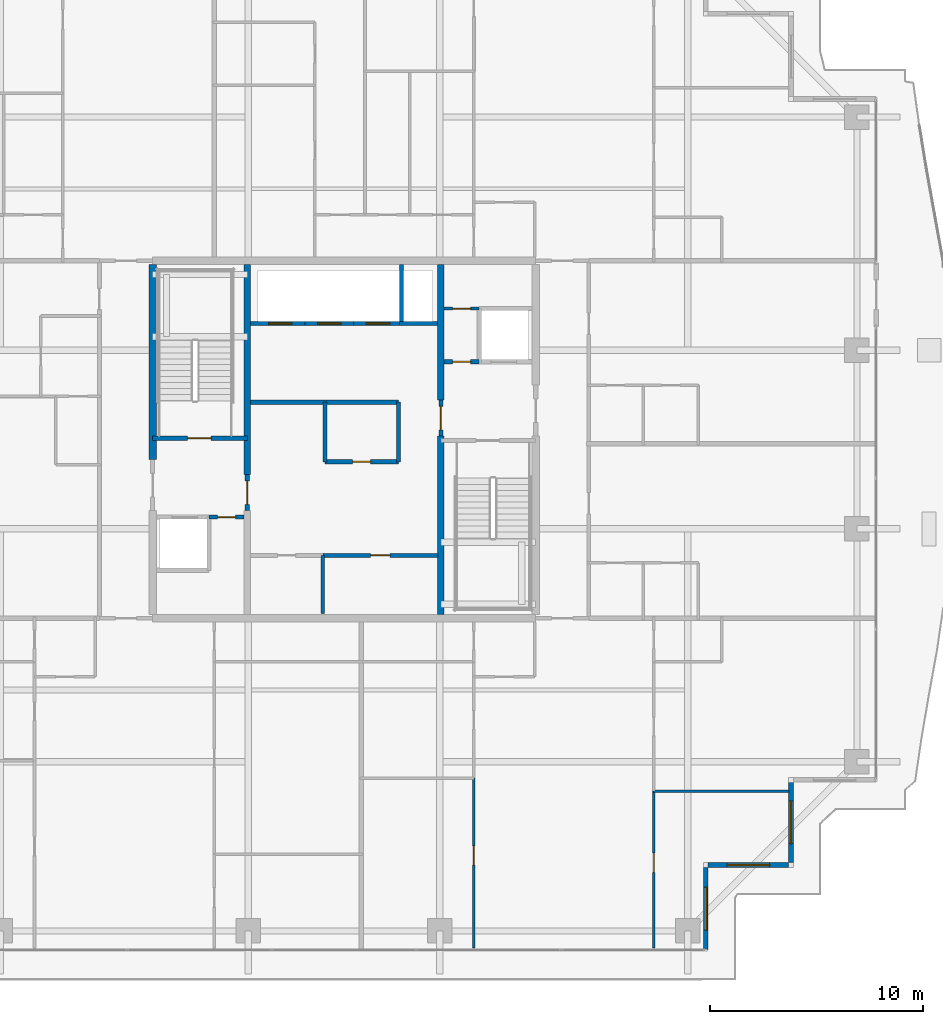
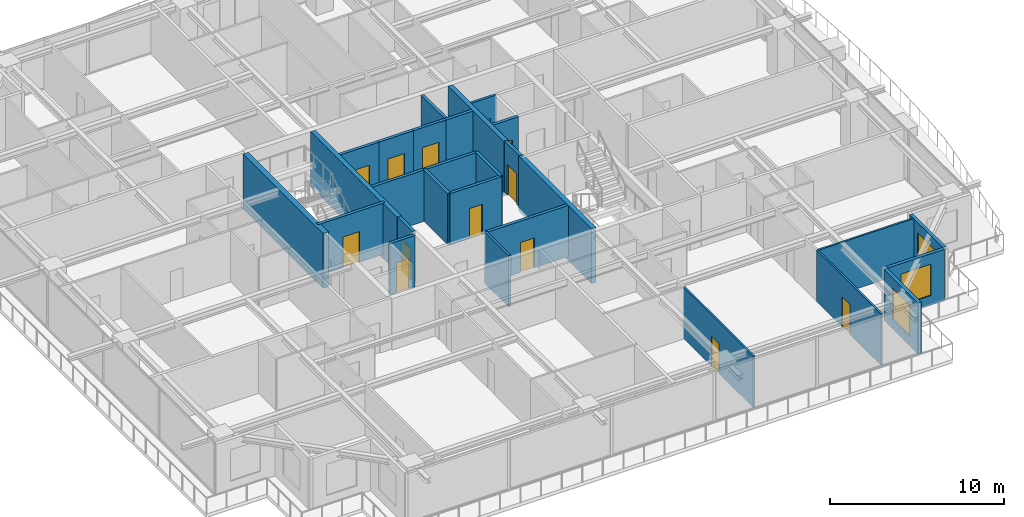
# One storey, part 27 of 37: 27 walls, 13 doors, 3 windows, 16 openings.
"""IFC4 building model written with IfcOpenShell, lengths in metres."""

from ifc_helpers import new_model, si_unit, direction, frame, frame_2d, origin, place, context, subcontext, project, spatial, rectangle, extrude, source, transform, mapped, material, layer, layer_set, type_object, element, fill, save


model = new_model("IFC4")

# Units and contexts
model_context = context("Model", 3, precision=1e-05, world=origin(), true_north=direction((0.0, 1.0)))
body_context = subcontext(model_context, "Body", "Model", "MODEL_VIEW")
ifc_project = project(units=[si_unit("LENGTHUNIT", "METRE"), si_unit("AREAUNIT", "SQUARE_METRE"), si_unit("VOLUMEUNIT", "CUBIC_METRE"), si_unit("PLANEANGLEUNIT", "RADIAN"), si_unit("MASSUNIT", "GRAM", prefix="KILO")], contexts=[model_context])

# Site, building, storey
site_placement = place(None, origin())
site = spatial("IfcSite", under=ifc_project, at=site_placement, CompositionType="ELEMENT")
building_placement = place(site_placement, origin())
building = spatial("IfcBuilding", under=site, at=building_placement, Name="Serunith Strait Residences", CompositionType="ELEMENT")
storey_placement = place(building_placement, frame((0.0, 0.0, 279.75)))
storey = spatial("IfcBuildingStorey", under=building, at=storey_placement, Name="L70", CompositionType="ELEMENT", Elevation=279.75)

# Wall, opening, window
ifc_material_1 = material(Name="Pale-Champagne Aluminium Insulated Panel", Category="aluminium")
ifc_layer_1 = layer(ifc_material_1, 0.219970703125, Name="Pale-Champagne Aluminium Insulated Panel")
ifc_layer_set_1 = layer_set([ifc_layer_1], Name="Pale-Champagne Aluminium Insulated Panel")
wall_type_1 = type_object("IfcWallType", Name="EW-ALUM-220", PredefinedType="ELEMENTEDWALL", material=ifc_layer_set_1)
wall_1_placement = place(storey_placement, frame((49.39990234375, 1.199951171875, 0.0), z_axis=(0.0, 0.0, 1.0), x_axis=(0.0, 1.0, 0.0)))
wall_1 = element("IfcWall", 1, at=wall_1_placement, inside=storey, type_object=wall_type_1, Name="L70 Girih Serrated Corner Wall 02", PredefinedType="ELEMENTEDWALL", context=body_context, shape_type="SweptSolid", body=[
    extrude(rectangle(XDim=3.89013671875, YDim=0.219970703125, at=frame_2d((1.945068359375, 0.0))), origin(), (0.0, 0.0, 1.0), 3.574951171875),
])
opening_1_placement = place(wall_1_placement, frame((0.945068359375, 0.0, 0.64990234375)))
opening_1 = element("IfcOpeningElement", 2, at=opening_1_placement, cuts=wall_1, Name="Opening W-04", PredefinedType="OPENING", context=body_context, shape_type="SweptSolid", body=[
    extrude(rectangle(XDim=2.0, YDim=2.199951171875, at=frame_2d((1.0, 1.10009765625))), frame((0.0, 0.1201171875, 0.0), z_axis=(0.0, -1.0, 0.0), x_axis=(1.0, 0.0, 0.0)), (0.0, 0.0, 1.0), 0.239990234375),
])
ifc_material_2 = material(Name="Ceramic-Fritted Operable Aluminium Window Glass", Category="aluminium")
window_type = type_object("IfcWindowType", Name="WIN-C4", PartitioningType="TRIPLE_PANEL_VERTICAL", PredefinedType="WINDOW", material=ifc_material_2)
shared_shape_1 = source(origin(), body_context, "Body", "SweptSolid", [
    extrude(rectangle(XDim=2.0, YDim=2.199951171875, at=frame_2d((1.0, 1.10009765625))), frame((0.0, 0.030029296875, 0.0), z_axis=(0.0, -1.0, 0.0), x_axis=(1.0, 0.0, 0.0)), (0.0, 0.0, 1.0), 0.06005859375),
])
window_1_placement = place(opening_1_placement, origin())
window_1 = element("IfcWindow", 3, at=window_1_placement, inside=storey, type_object=window_type, Name="L70 Corner Operable Fritted Window 02", OverallHeight=2.199951171875, OverallWidth=2.0, PartitioningType="SINGLE_PANEL", PredefinedType="WINDOW", context=body_context, shape_type="MappedRepresentation", body=[
    mapped(shared_shape_1, transform((0.0, 0.0, 0.0), scale=1.0)),
])
fill(opening_1, window_1)

wall_2_placement = place(storey_placement, frame((49.510009765625, 5.199951171875, 0.0), z_axis=(0.0, 0.0, 1.0), x_axis=(1.0, 0.0, 0.0)))
wall_2 = element("IfcWall", 4, at=wall_2_placement, inside=storey, type_object=wall_type_1, Name="L70 Girih Serrated Corner Wall 03", PredefinedType="ELEMENTEDWALL", context=body_context, shape_type="SweptSolid", body=[
    extrude(rectangle(XDim=3.780029296875, YDim=0.219970703125, at=frame_2d((1.89013671875, 0.0))), origin(), (0.0, 0.0, 1.0), 3.574951171875),
])
opening_2_placement = place(wall_2_placement, frame((0.889892578125, 0.0, 0.64990234375)))
opening_2 = element("IfcOpeningElement", 5, at=opening_2_placement, cuts=wall_2, Name="Opening W-04", PredefinedType="OPENING", context=body_context, shape_type="SweptSolid", body=[
    extrude(rectangle(XDim=2.0, YDim=2.199951171875, at=frame_2d((1.0, 1.10009765625))), frame((0.0, 0.1201171875, 0.0), z_axis=(0.0, -1.0, 0.0), x_axis=(1.0, 0.0, 0.0)), (0.0, 0.0, 1.0), 0.239990234375),
])
window_2_placement = place(opening_2_placement, origin())
window_2 = element("IfcWindow", 6, at=window_2_placement, inside=storey, type_object=window_type, Name="L70 Corner Operable Fritted Window 03", OverallHeight=2.199951171875, OverallWidth=2.0, PartitioningType="SINGLE_PANEL", PredefinedType="WINDOW", context=body_context, shape_type="MappedRepresentation", body=[
    mapped(shared_shape_1, transform((0.0, 0.0, 0.0), scale=1.0)),
])
fill(opening_2, window_2)

wall_3_placement = place(storey_placement, frame((53.39990234375, 5.31005859375, 0.0), z_axis=(0.0, 0.0, 1.0), x_axis=(0.0, 1.0, 0.0)))
wall_3 = element("IfcWall", 7, at=wall_3_placement, inside=storey, type_object=wall_type_1, Name="L70 Girih Serrated Corner Wall 04", PredefinedType="ELEMENTEDWALL", context=body_context, shape_type="SweptSolid", body=[
    extrude(rectangle(XDim=3.780029296875, YDim=0.219970703125, at=frame_2d((1.89013671875, 0.0))), origin(), (0.0, 0.0, 1.0), 3.574951171875),
])
opening_3_placement = place(wall_3_placement, frame((0.889892578125, 0.0, 0.64990234375)))
opening_3 = element("IfcOpeningElement", 8, at=opening_3_placement, cuts=wall_3, Name="Opening W-04", PredefinedType="OPENING", context=body_context, shape_type="SweptSolid", body=[
    extrude(rectangle(XDim=2.0, YDim=2.199951171875, at=frame_2d((1.0, 1.10009765625))), frame((0.0, 0.1201171875, 0.0), z_axis=(0.0, -1.0, 0.0), x_axis=(1.0, 0.0, 0.0)), (0.0, 0.0, 1.0), 0.239990234375),
])
window_3_placement = place(opening_3_placement, origin())
window_3 = element("IfcWindow", 9, at=window_3_placement, inside=storey, type_object=window_type, Name="L70 Corner Operable Fritted Window 04", OverallHeight=2.199951171875, OverallWidth=2.0, PartitioningType="SINGLE_PANEL", PredefinedType="WINDOW", context=body_context, shape_type="MappedRepresentation", body=[
    mapped(shared_shape_1, transform((0.0, 0.0, 0.0), scale=1.0)),
])
fill(opening_3, window_3)

# Wall, opening, door
ifc_material_3 = material(Name="Fire-rated masonry service closet wall", Category="masonry")
ifc_layer_2 = layer(ifc_material_3, 0.14990234375, Name="Fire-rated masonry service closet wall")
ifc_layer_set_2 = layer_set([ifc_layer_2], Name="Fire-rated masonry service closet wall")
wall_type_2 = type_object("IfcWallType", Name="IW-BOH-150", PredefinedType="PARTITIONING", material=ifc_layer_set_2)
wall_4_placement = place(storey_placement, frame((37.10009765625, 31.35009765625, 0.0), z_axis=(0.0, 0.0, 1.0), x_axis=(1.0, 0.0, 0.0)))
wall_4 = element("IfcWall", 10, at=wall_4_placement, inside=storey, type_object=wall_type_2, Name="L70 Partition Wall 011", PredefinedType="PARTITIONING", context=body_context, shape_type="SweptSolid", body=[
    extrude(rectangle(XDim=1.64794921875, YDim=0.14990234375, at=frame_2d((0.823974609375, 0.0))), origin(), (0.0, 0.0, 1.0), 3.590087890625),
])
opening_4_placement = place(wall_4_placement, frame((0.39892578125, 0.0, 0.0)))
opening_4 = element("IfcOpeningElement", 11, at=opening_4_placement, cuts=wall_4, Name="Opening FD-850", PredefinedType="OPENING", context=body_context, shape_type="SweptSolid", body=[
    extrude(rectangle(XDim=0.85009765625, YDim=2.10009765625, at=frame_2d((0.425048828125, 1.050048828125))), frame((0.0, 0.0849609375, 0.0), z_axis=(0.0, -1.0, 0.0), x_axis=(1.0, 0.0, 0.0)), (0.0, 0.0, 1.0), 0.169921875),
])
ifc_material_4 = material(Name="Powder-coated steel service closet door", Category="steel")
door_type_1 = type_object("IfcDoorType", Name="FD-BOH-850", OperationType="NOTDEFINED", PredefinedType="DOOR", material=ifc_material_4)
shared_shape_2 = source(origin(), body_context, "Body", "SweptSolid", [
    extrude(rectangle(XDim=0.85009765625, YDim=2.10009765625, at=frame_2d((0.425048828125, 1.050048828125))), frame((0.0, 0.02490234375, 0.0), z_axis=(0.0, -1.0, 0.0), x_axis=(1.0, 0.0, 0.0)), (0.0, 0.0, 1.0), 0.050048828125),
])
door_1_placement = place(opening_4_placement, origin())
door_1 = element("IfcDoor", 12, at=door_1_placement, inside=storey, type_object=door_type_1, Name="L70 Spare Parts Store Door", OperationType="SINGLE_SWING_RIGHT", OverallHeight=2.10009765625, OverallWidth=0.85009765625, PredefinedType="DOOR", context=body_context, shape_type="MappedRepresentation", body=[
    mapped(shared_shape_2, transform((0.0, 0.0, 0.0), scale=1.0)),
])
fill(opening_4, door_1)

# Wall
wall_5_placement = place(storey_placement, frame((31.39990234375, 17.02001953125, 0.0), z_axis=(0.0, 0.0, 1.0), x_axis=(0.0, 1.0, 0.0)))
element("IfcWall", 13, at=wall_5_placement, inside=storey, type_object=wall_type_2, Name="L70 Partition Wall 014", PredefinedType="PARTITIONING", context=body_context, shape_type="SweptSolid", body=[
    extrude(rectangle(XDim=2.72998046875, YDim=0.14990234375, at=frame_2d((1.364990234375, 0.0))), origin(), (0.0, 0.0, 1.0), 3.590087890625),
])

# Wall, opening, door
ifc_material_5 = material(Name="Lightweight steel-stud gypsum partition", Category="steel")
ifc_layer_3 = layer(ifc_material_5, 0.1201171875, Name="Lightweight steel-stud gypsum partition")
ifc_layer_set_3 = layer_set([ifc_layer_3], Name="Lightweight steel-stud gypsum partition")
wall_type_3 = type_object("IfcWallType", Name="IW-PART-120", PredefinedType="PARTITIONING", material=ifc_layer_set_3)
wall_6_placement = place(storey_placement, frame((38.5, 1.294921875, 0.0), z_axis=(0.0, 0.0, 1.0), x_axis=(0.0, 1.0, 0.0)))
wall_6 = element("IfcWall", 14, at=wall_6_placement, inside=storey, type_object=wall_type_3, Name="L70 Partition Wall 047", PredefinedType="PARTITIONING", context=body_context, shape_type="SweptSolid", body=[
    extrude(rectangle(XDim=7.990966796875, YDim=0.1201171875, at=frame_2d((3.99560546875, 0.0))), origin(), (0.0, 0.0, 1.0), 3.590087890625),
])
opening_5_placement = place(wall_6_placement, frame((3.89990234375, 0.0, 0.0)))
opening_5 = element("IfcOpeningElement", 15, at=opening_5_placement, cuts=wall_6, Name="Opening D-RM900", PredefinedType="OPENING", context=body_context, shape_type="SweptSolid", body=[
    extrude(rectangle(XDim=0.89990234375, YDim=2.10009765625, at=frame_2d((0.449951171875, 1.050048828125))), frame((0.0, 0.070068359375, 0.0), z_axis=(0.0, -1.0, 0.0), x_axis=(1.0, 0.0, 0.0)), (0.0, 0.0, 1.0), 0.14013671875),
])
ifc_material_6 = material(Name="Engineered timber flush bedroom door", Category="wood")
door_type_2 = type_object("IfcDoorType", Name="ID-ROOM-900", OperationType="NOTDEFINED", PredefinedType="DOOR", material=ifc_material_6)
shared_shape_3 = source(origin(), body_context, "Body", "SweptSolid", [
    extrude(rectangle(XDim=0.89990234375, YDim=2.10009765625, at=frame_2d((0.449951171875, 1.050048828125))), frame((0.0, 0.02490234375, 0.0), z_axis=(0.0, -1.0, 0.0), x_axis=(1.0, 0.0, 0.0)), (0.0, 0.0, 1.0), 0.050048828125),
])
door_2_placement = place(opening_5_placement, origin())
door_2 = element("IfcDoor", 16, at=door_2_placement, inside=storey, type_object=door_type_2, Name="L70 Master Bedroom 1 7002 Door", OperationType="SINGLE_SWING_LEFT", OverallHeight=2.10009765625, OverallWidth=0.89990234375, PredefinedType="DOOR", context=body_context, shape_type="MappedRepresentation", body=[
    mapped(shared_shape_3, transform((0.0, 0.0, 0.0), scale=1.0)),
])
fill(opening_5, door_2)

wall_7_placement = place(storey_placement, frame((46.949951171875, 1.294921875, 0.0), z_axis=(0.0, 0.0, 1.0), x_axis=(0.0, 1.0, 0.0)))
wall_7 = element("IfcWall", 17, at=wall_7_placement, inside=storey, type_object=wall_type_3, Name="L70 Partition Wall 052", PredefinedType="PARTITIONING", context=body_context, shape_type="SweptSolid", body=[
    extrude(rectangle(XDim=7.373046875, YDim=0.1201171875, at=frame_2d((3.6865234375, 0.0))), origin(), (0.0, 0.0, 1.0), 3.590087890625),
])
opening_6_placement = place(wall_7_placement, frame((3.56005859375, 0.0, 0.0)))
opening_6 = element("IfcOpeningElement", 18, at=opening_6_placement, cuts=wall_7, Name="Opening D-RM900", PredefinedType="OPENING", context=body_context, shape_type="SweptSolid", body=[
    extrude(rectangle(XDim=0.89990234375, YDim=2.10009765625, at=frame_2d((0.449951171875, 1.050048828125))), frame((0.0, 0.070068359375, 0.0), z_axis=(0.0, -1.0, 0.0), x_axis=(1.0, 0.0, 0.0)), (0.0, 0.0, 1.0), 0.14013671875),
])
door_3_placement = place(opening_6_placement, origin())
door_3 = element("IfcDoor", 19, at=door_3_placement, inside=storey, type_object=door_type_2, Name="L70 Bedroom 2 7002 Door", OperationType="SINGLE_SWING_RIGHT", OverallHeight=2.10009765625, OverallWidth=0.89990234375, PredefinedType="DOOR", context=body_context, shape_type="MappedRepresentation", body=[
    mapped(shared_shape_3, transform((0.0, 0.0, 0.0), scale=1.0)),
])
fill(opening_6, door_3)

# Wall
wall_8_placement = place(storey_placement, frame((46.949951171875, 8.66796875, 0.0), z_axis=(0.0, 0.0, 1.0), x_axis=(1.0, 0.0, 0.0)))
element("IfcWall", 20, at=wall_8_placement, inside=storey, type_object=wall_type_3, Name="L70 Partition Wall 053", PredefinedType="PARTITIONING", context=body_context, shape_type="SweptSolid", body=[
    extrude(rectangle(XDim=6.35498046875, YDim=0.1201171875, at=frame_2d((3.177490234375, 0.0))), origin(), (0.0, 0.0, 1.0), 3.590087890625),
])

# Wall, opening, door
ifc_material_7 = material(Name="Autoclaved aerated concrete blockwork", Category="masonry")
ifc_layer_4 = layer(ifc_material_7, 0.199951171875, Name="Autoclaved aerated concrete blockwork")
ifc_layer_set_4 = layer_set([ifc_layer_4], Name="Autoclaved aerated concrete blockwork")
wall_type_4 = type_object("IfcWallType", Name="IW-SHAFT-200", PredefinedType="STANDARD", material=ifc_layer_set_4)
wall_9_placement = place(storey_placement, frame((23.39990234375, 25.25, 0.0), z_axis=(0.0, 0.0, 1.0), x_axis=(1.0, 0.0, 0.0)))
wall_9 = element("IfcWall", 21, at=wall_9_placement, inside=storey, type_object=wall_type_4, Name="L70 ST-1 South Shaft Wall", PredefinedType="STANDARD", context=body_context, shape_type="SweptSolid", body=[
    extrude(rectangle(XDim=4.4501953125, YDim=0.199951171875, at=frame_2d((2.22509765625, 0.0))), origin(), (0.0, 0.0, 1.0), 3.590087890625),
])
opening_7_placement = place(wall_9_placement, frame((1.64990234375, 0.0, 0.0)))
opening_7 = element("IfcOpeningElement", 22, at=opening_7_placement, cuts=wall_9, Name="Opening FD-1100", PredefinedType="OPENING", context=body_context, shape_type="SweptSolid", body=[
    extrude(rectangle(XDim=1.10009765625, YDim=2.14990234375, at=frame_2d((0.550048828125, 1.074951171875))), frame((0.0, 0.10986328125, 0.0), z_axis=(0.0, -1.0, 0.0), x_axis=(1.0, 0.0, 0.0)), (0.0, 0.0, 1.0), 0.219970703125),
])
ifc_material_8 = material(Name="Galvanised steel fire door leaf", Category="steel")
door_type_3 = type_object("IfcDoorType", Name="FD-STAIR-1100", OperationType="NOTDEFINED", PredefinedType="DOOR", material=ifc_material_8)
shared_shape_4 = source(origin(), body_context, "Body", "SweptSolid", [
    extrude(rectangle(XDim=1.10009765625, YDim=2.14990234375, at=frame_2d((0.550048828125, 1.074951171875))), frame((0.0, 0.02490234375, 0.0), z_axis=(0.0, -1.0, 0.0), x_axis=(1.0, 0.0, 0.0)), (0.0, 0.0, 1.0), 0.050048828125),
])
door_4_placement = place(opening_7_placement, origin())
door_4 = element("IfcDoor", 23, at=door_4_placement, inside=storey, type_object=door_type_3, Name="L70 ST-1 Escape Stair Door", OperationType="SINGLE_SWING_RIGHT", OverallHeight=2.14990234375, OverallWidth=1.10009765625, PredefinedType="DOOR", context=body_context, shape_type="MappedRepresentation", body=[
    mapped(shared_shape_4, transform((0.0, 0.0, 0.0), scale=1.0)),
])
fill(opening_7, door_4)

wall_10_placement = place(storey_placement, frame((28.0, 30.64990234375, 0.0), z_axis=(0.0, 0.0, 1.0), x_axis=(1.0, 0.0, 0.0)))
wall_10 = element("IfcWall", 24, at=wall_10_placement, inside=storey, type_object=wall_type_4, Name="L70 PL-7 South Shaft Wall", PredefinedType="STANDARD", context=body_context, shape_type="SweptSolid", body=[
    extrude(rectangle(XDim=2.550048828125, YDim=0.199951171875, at=frame_2d((1.27490234375, 0.0))), origin(), (0.0, 0.0, 1.0), 3.590087890625),
])
opening_8_placement = place(wall_10_placement, frame((0.85009765625, 0.0, 0.0)))
opening_8 = element("IfcOpeningElement", 25, at=opening_8_placement, cuts=wall_10, Name="Opening LD-1100", PredefinedType="OPENING", context=body_context, shape_type="SweptSolid", body=[
    extrude(rectangle(XDim=1.10009765625, YDim=2.199951171875, at=frame_2d((0.550048828125, 1.10009765625))), frame((0.0, 0.10986328125, 0.0), z_axis=(0.0, -1.0, 0.0), x_axis=(1.0, 0.0, 0.0)), (0.0, 0.0, 1.0), 0.219970703125),
])
ifc_material_9 = material(Name="Pale-champagne stainless landing door")
door_type_4 = type_object("IfcDoorType", Name="LD-LIFT-1100", OperationType="DOUBLE_DOOR_SLIDING", PredefinedType="DOOR", material=ifc_material_9)
shared_shape_5 = source(origin(), body_context, "Body", "SweptSolid", [
    extrude(rectangle(XDim=1.10009765625, YDim=2.199951171875, at=frame_2d((0.550048828125, 1.10009765625))), frame((0.0, 0.02490234375, 0.0), z_axis=(0.0, -1.0, 0.0), x_axis=(1.0, 0.0, 0.0)), (0.0, 0.0, 1.0), 0.050048828125),
])
door_5_placement = place(opening_8_placement, origin())
door_5 = element("IfcDoor", 26, at=door_5_placement, inside=storey, type_object=door_type_4, Name="L70 PL-7 Landing Door", OperationType="DOUBLE_DOOR_SLIDING", OverallHeight=2.199951171875, OverallWidth=1.10009765625, PredefinedType="DOOR", context=body_context, shape_type="MappedRepresentation", body=[
    mapped(shared_shape_5, transform((0.0, 0.0, 0.0), scale=1.0)),
])
fill(opening_8, door_5)

wall_11_placement = place(storey_placement, frame((30.550048828125, 30.64990234375, 0.0), z_axis=(0.0, 0.0, 1.0), x_axis=(1.0, 0.0, 0.0)))
wall_11 = element("IfcWall", 27, at=wall_11_placement, inside=storey, type_object=wall_type_4, Name="L70 PL-8 South Shaft Wall", PredefinedType="STANDARD", context=body_context, shape_type="SweptSolid", body=[
    extrude(rectangle(XDim=2.300048828125, YDim=0.199951171875, at=frame_2d((1.14990234375, 0.0))), origin(), (0.0, 0.0, 1.0), 3.590087890625),
])
opening_9_placement = place(wall_11_placement, frame((0.60009765625, 0.0, 0.0)))
opening_9 = element("IfcOpeningElement", 28, at=opening_9_placement, cuts=wall_11, Name="Opening LD-1100", PredefinedType="OPENING", context=body_context, shape_type="SweptSolid", body=[
    extrude(rectangle(XDim=1.10009765625, YDim=2.199951171875, at=frame_2d((0.550048828125, 1.10009765625))), frame((0.0, 0.10986328125, 0.0), z_axis=(0.0, -1.0, 0.0), x_axis=(1.0, 0.0, 0.0)), (0.0, 0.0, 1.0), 0.219970703125),
])
door_6_placement = place(opening_9_placement, origin())
door_6 = element("IfcDoor", 29, at=door_6_placement, inside=storey, type_object=door_type_4, Name="L70 PL-8 Landing Door", OperationType="DOUBLE_DOOR_SLIDING", OverallHeight=2.199951171875, OverallWidth=1.10009765625, PredefinedType="DOOR", context=body_context, shape_type="MappedRepresentation", body=[
    mapped(shared_shape_5, transform((0.0, 0.0, 0.0), scale=1.0)),
])
fill(opening_9, door_6)

wall_12_placement = place(storey_placement, frame((32.85009765625, 30.64990234375, 0.0), z_axis=(0.0, 0.0, 1.0), x_axis=(1.0, 0.0, 0.0)))
wall_12 = element("IfcWall", 30, at=wall_12_placement, inside=storey, type_object=wall_type_4, Name="L70 PL-9 South Shaft Wall", PredefinedType="STANDARD", context=body_context, shape_type="SweptSolid", body=[
    extrude(rectangle(XDim=2.14990234375, YDim=0.199951171875, at=frame_2d((1.074951171875, 0.0))), origin(), (0.0, 0.0, 1.0), 3.590087890625),
])
opening_10_placement = place(wall_12_placement, frame((0.60009765625, 0.0, 0.0)))
opening_10 = element("IfcOpeningElement", 31, at=opening_10_placement, cuts=wall_12, Name="Opening LD-1100", PredefinedType="OPENING", context=body_context, shape_type="SweptSolid", body=[
    extrude(rectangle(XDim=1.10009765625, YDim=2.199951171875, at=frame_2d((0.550048828125, 1.10009765625))), frame((0.0, 0.10986328125, 0.0), z_axis=(0.0, -1.0, 0.0), x_axis=(1.0, 0.0, 0.0)), (0.0, 0.0, 1.0), 0.219970703125),
])
door_7_placement = place(opening_10_placement, origin())
door_7 = element("IfcDoor", 32, at=door_7_placement, inside=storey, type_object=door_type_4, Name="L70 PL-9 Landing Door", OperationType="DOUBLE_DOOR_SLIDING", OverallHeight=2.199951171875, OverallWidth=1.10009765625, PredefinedType="DOOR", context=body_context, shape_type="MappedRepresentation", body=[
    mapped(shared_shape_5, transform((0.0, 0.0, 0.0), scale=1.0)),
])
fill(opening_10, door_7)

# Walls
wall_13_placement = place(storey_placement, frame((35.0, 30.64990234375, 0.0), z_axis=(0.0, 0.0, 1.0), x_axis=(1.0, 0.0, 0.0)))
element("IfcWall", 33, at=wall_13_placement, inside=storey, type_object=wall_type_4, Name="L70 SL-1 South Shaft Wall", PredefinedType="STANDARD", context=body_context, shape_type="SweptSolid", body=[
    extrude(rectangle(XDim=1.800048828125, YDim=0.199951171875, at=frame_2d((0.89990234375, 0.0))), origin(), (0.0, 0.0, 1.0), 3.590087890625),
])
wall_14_placement = place(storey_placement, frame((35.10009765625, 30.75, 0.0), z_axis=(0.0, 0.0, 1.0), x_axis=(0.0, 1.0, 0.0)))
element("IfcWall", 34, at=wall_14_placement, inside=storey, type_object=wall_type_4, Name="L70 SL-1 West Shaft Wall", PredefinedType="STANDARD", context=body_context, shape_type="SweptSolid", body=[
    extrude(rectangle(XDim=2.675048828125, YDim=0.199951171875, at=frame_2d((1.33740234375, 0.0))), origin(), (0.0, 0.0, 1.0), 3.590087890625),
])

# Wall, opening, door
wall_15_placement = place(storey_placement, frame((26.052001953125, 21.550048828125, 0.0), z_axis=(0.0, 0.0, 1.0), x_axis=(1.0, 0.0, 0.0)))
wall_15 = element("IfcWall", 35, at=wall_15_placement, inside=storey, type_object=wall_type_4, Name="L70 Partition Wall 003", PredefinedType="STANDARD", context=body_context, shape_type="SweptSolid", body=[
    extrude(rectangle(XDim=1.64794921875, YDim=0.199951171875, at=frame_2d((0.823974609375, 0.0))), origin(), (0.0, 0.0, 1.0), 3.590087890625),
])
opening_11_placement = place(wall_15_placement, frame((0.39892578125, 0.0, 0.0)))
opening_11 = element("IfcOpeningElement", 36, at=opening_11_placement, cuts=wall_15, Name="Opening FD-850", PredefinedType="OPENING", context=body_context, shape_type="SweptSolid", body=[
    extrude(rectangle(XDim=0.85009765625, YDim=2.10009765625, at=frame_2d((0.425048828125, 1.050048828125))), frame((0.0, 0.10986328125, 0.0), z_axis=(0.0, -1.0, 0.0), x_axis=(1.0, 0.0, 0.0)), (0.0, 0.0, 1.0), 0.219970703125),
])
door_8_placement = place(opening_11_placement, origin())
door_8 = element("IfcDoor", 37, at=door_8_placement, inside=storey, type_object=door_type_1, Name="L70 South-West Core Service Door", OperationType="SINGLE_SWING_RIGHT", OverallHeight=2.10009765625, OverallWidth=0.85009765625, PredefinedType="DOOR", context=body_context, shape_type="MappedRepresentation", body=[
    mapped(shared_shape_2, transform((0.0, 0.0, 0.0), scale=1.0)),
])
fill(opening_11, door_8)

wall_16_placement = place(storey_placement, frame((37.10009765625, 28.85009765625, 0.0), z_axis=(0.0, 0.0, 1.0), x_axis=(1.0, 0.0, 0.0)))
wall_16 = element("IfcWall", 38, at=wall_16_placement, inside=storey, type_object=wall_type_4, Name="L70 Partition Wall 006", PredefinedType="STANDARD", context=body_context, shape_type="SweptSolid", body=[
    extrude(rectangle(XDim=1.64794921875, YDim=0.199951171875, at=frame_2d((0.823974609375, 0.0))), origin(), (0.0, 0.0, 1.0), 3.590087890625),
])
opening_12_placement = place(wall_16_placement, frame((0.39892578125, 0.0, 0.0)))
opening_12 = element("IfcOpeningElement", 39, at=opening_12_placement, cuts=wall_16, Name="Opening FD-850", PredefinedType="OPENING", context=body_context, shape_type="SweptSolid", body=[
    extrude(rectangle(XDim=0.85009765625, YDim=2.10009765625, at=frame_2d((0.425048828125, 1.050048828125))), frame((0.0, 0.10986328125, 0.0), z_axis=(0.0, -1.0, 0.0), x_axis=(1.0, 0.0, 0.0)), (0.0, 0.0, 1.0), 0.219970703125),
])
door_9_placement = place(opening_12_placement, origin())
door_9 = element("IfcDoor", 40, at=door_9_placement, inside=storey, type_object=door_type_1, Name="L70 North-East Core Service Door", OperationType="SINGLE_SWING_LEFT", OverallHeight=2.10009765625, OverallWidth=0.85009765625, PredefinedType="DOOR", context=body_context, shape_type="MappedRepresentation", body=[
    mapped(shared_shape_2, transform((0.0, 0.0, 0.0), scale=1.0)),
])
fill(opening_12, door_9)

wall_17_placement = place(storey_placement, frame((27.85009765625, 21.85205078125, 0.0), z_axis=(0.0, 0.0, 1.0), x_axis=(0.0, 1.0, 0.0)))
wall_17 = element("IfcWall", 41, at=wall_17_placement, inside=storey, type_object=wall_type_4, Name="L70 Partition Wall 009", PredefinedType="STANDARD", context=body_context, shape_type="SweptSolid", body=[
    extrude(rectangle(XDim=1.696044921875, YDim=0.199951171875, at=frame_2d((0.84814453125, 0.0))), origin(), (0.0, 0.0, 1.0), 3.590087890625),
])
opening_13_placement = place(wall_17_placement, frame((0.298095703125, 0.0, 0.0)))
opening_13 = element("IfcOpeningElement", 42, at=opening_13_placement, cuts=wall_17, Name="Opening FD-FFL", PredefinedType="OPENING", context=body_context, shape_type="SweptSolid", body=[
    extrude(rectangle(XDim=1.10009765625, YDim=2.14990234375, at=frame_2d((0.550048828125, 1.074951171875))), frame((0.0, 0.10986328125, 0.0), z_axis=(0.0, -1.0, 0.0), x_axis=(1.0, 0.0, 0.0)), (0.0, 0.0, 1.0), 0.219970703125),
])
ifc_material_10 = material(Name="Glazed steel smoke-lobby fire door", Category="steel")
door_type_5 = type_object("IfcDoorType", Name="FD-FFL-1100", OperationType="NOTDEFINED", PredefinedType="DOOR", material=ifc_material_10)
door_10_placement = place(opening_13_placement, origin())
door_10 = element("IfcDoor", 43, at=door_10_placement, inside=storey, type_object=door_type_5, Name="L70 FFL-1 Lift Lobby Door", OperationType="SINGLE_SWING_RIGHT", OverallHeight=2.14990234375, OverallWidth=1.10009765625, PredefinedType="DOOR", context=body_context, shape_type="MappedRepresentation", body=[
    mapped(shared_shape_4, transform((0.0, 0.0, 0.0), scale=1.0)),
])
fill(opening_13, door_10)

wall_18_placement = place(storey_placement, frame((36.949951171875, 25.35205078125, 0.0), z_axis=(0.0, 0.0, 1.0), x_axis=(0.0, 1.0, 0.0)))
wall_18 = element("IfcWall", 44, at=wall_18_placement, inside=storey, type_object=wall_type_4, Name="L70 Partition Wall 010", PredefinedType="STANDARD", context=body_context, shape_type="SweptSolid", body=[
    extrude(rectangle(XDim=1.696044921875, YDim=0.199951171875, at=frame_2d((0.84814453125, 0.0))), origin(), (0.0, 0.0, 1.0), 3.590087890625),
])
opening_14_placement = place(wall_18_placement, frame((0.298095703125, 0.0, 0.0)))
opening_14 = element("IfcOpeningElement", 45, at=opening_14_placement, cuts=wall_18, Name="Opening FD-FFL", PredefinedType="OPENING", context=body_context, shape_type="SweptSolid", body=[
    extrude(rectangle(XDim=1.10009765625, YDim=2.14990234375, at=frame_2d((0.550048828125, 1.074951171875))), frame((0.0, 0.10986328125, 0.0), z_axis=(0.0, -1.0, 0.0), x_axis=(1.0, 0.0, 0.0)), (0.0, 0.0, 1.0), 0.219970703125),
])
door_11_placement = place(opening_14_placement, origin())
door_11 = element("IfcDoor", 46, at=door_11_placement, inside=storey, type_object=door_type_5, Name="L70 FFL-2 Lift Lobby Door", OperationType="SINGLE_SWING_LEFT", OverallHeight=2.14990234375, OverallWidth=1.10009765625, PredefinedType="DOOR", context=body_context, shape_type="MappedRepresentation", body=[
    mapped(shared_shape_4, transform((0.0, 0.0, 0.0), scale=1.0)),
])
fill(opening_14, door_11)

wall_19_placement = place(storey_placement, frame((31.402099609375, 19.75, 0.0), z_axis=(0.0, 0.0, 1.0), x_axis=(1.0, 0.0, 0.0)))
wall_19 = element("IfcWall", 47, at=wall_19_placement, inside=storey, type_object=wall_type_4, Name="L70 Partition Wall 013", PredefinedType="STANDARD", context=body_context, shape_type="SweptSolid", body=[
    extrude(rectangle(XDim=5.39794921875, YDim=0.199951171875, at=frame_2d((2.698974609375, 0.0))), origin(), (0.0, 0.0, 1.0), 3.590087890625),
])
opening_15_placement = place(wall_19_placement, frame((2.2490234375, 0.0, 0.0)))
opening_15 = element("IfcOpeningElement", 48, at=opening_15_placement, cuts=wall_19, Name="Opening FD-900", PredefinedType="OPENING", context=body_context, shape_type="SweptSolid", body=[
    extrude(rectangle(XDim=0.89990234375, YDim=2.10009765625, at=frame_2d((0.449951171875, 1.050048828125))), frame((0.0, 0.10986328125, 0.0), z_axis=(0.0, -1.0, 0.0), x_axis=(1.0, 0.0, 0.0)), (0.0, 0.0, 1.0), 0.219970703125),
])
ifc_material_11 = material(Name="Powder-coated steel riser door", Category="steel")
door_type_6 = type_object("IfcDoorType", Name="FD-BOH-900", OperationType="NOTDEFINED", PredefinedType="DOOR", material=ifc_material_11)
door_12_placement = place(opening_15_placement, origin())
door_12 = element("IfcDoor", 49, at=door_12_placement, inside=storey, type_object=door_type_6, Name="L70 Zone Switchroom Door", OperationType="SINGLE_SWING_RIGHT", OverallHeight=2.10009765625, OverallWidth=0.89990234375, PredefinedType="DOOR", context=body_context, shape_type="MappedRepresentation", body=[
    mapped(shared_shape_3, transform((0.0, 0.0, 0.0), scale=1.0)),
])
fill(opening_15, door_12)

# Walls
wall_20_placement = place(storey_placement, frame((28.0, 26.949951171875, 0.0), z_axis=(0.0, 0.0, 1.0), x_axis=(1.0, 0.0, 0.0)))
element("IfcWall", 50, at=wall_20_placement, inside=storey, type_object=wall_type_4, Name="L70 Partition Wall 015", PredefinedType="STANDARD", context=body_context, shape_type="SweptSolid", body=[
    extrude(rectangle(XDim=6.949951171875, YDim=0.199951171875, at=frame_2d((3.47509765625, 0.0))), origin(), (0.0, 0.0, 1.0), 3.590087890625),
])
wall_21_placement = place(storey_placement, frame((34.949951171875, 24.14990234375, 0.0), z_axis=(0.0, 0.0, 1.0), x_axis=(0.0, 1.0, 0.0)))
element("IfcWall", 51, at=wall_21_placement, inside=storey, type_object=wall_type_4, Name="L70 Partition Wall 016", PredefinedType="STANDARD", context=body_context, shape_type="SweptSolid", body=[
    extrude(rectangle(XDim=2.800048828125, YDim=0.199951171875, at=frame_2d((1.39990234375, 0.0))), origin(), (0.0, 0.0, 1.0), 3.590087890625),
])

# Wall, opening, door
wall_22_placement = place(storey_placement, frame((31.5, 24.14990234375, 0.0), z_axis=(0.0, 0.0, 1.0), x_axis=(1.0, 0.0, 0.0)))
wall_22 = element("IfcWall", 52, at=wall_22_placement, inside=storey, type_object=wall_type_4, Name="L70 Partition Wall 017", PredefinedType="STANDARD", context=body_context, shape_type="SweptSolid", body=[
    extrude(rectangle(XDim=3.449951171875, YDim=0.199951171875, at=frame_2d((1.72509765625, 0.0))), origin(), (0.0, 0.0, 1.0), 3.590087890625),
])
opening_16_placement = place(wall_22_placement, frame((1.300048828125, 0.0, 0.0)))
opening_16 = element("IfcOpeningElement", 53, at=opening_16_placement, cuts=wall_22, Name="Opening FD-850", PredefinedType="OPENING", context=body_context, shape_type="SweptSolid", body=[
    extrude(rectangle(XDim=0.85009765625, YDim=2.10009765625, at=frame_2d((0.425048828125, 1.050048828125))), frame((0.0, 0.10986328125, 0.0), z_axis=(0.0, -1.0, 0.0), x_axis=(1.0, 0.0, 0.0)), (0.0, 0.0, 1.0), 0.219970703125),
])
door_13_placement = place(opening_16_placement, origin())
door_13 = element("IfcDoor", 54, at=door_13_placement, inside=storey, type_object=door_type_1, Name="L70 Upper Meter Room Door", OperationType="SINGLE_SWING_LEFT", OverallHeight=2.10009765625, OverallWidth=0.85009765625, PredefinedType="DOOR", context=body_context, shape_type="MappedRepresentation", body=[
    mapped(shared_shape_2, transform((0.0, 0.0, 0.0), scale=1.0)),
])
fill(opening_16, door_13)

# Walls
wall_23_placement = place(storey_placement, frame((31.5, 24.14990234375, 0.0), z_axis=(0.0, 0.0, 1.0), x_axis=(0.0, 1.0, 0.0)))
element("IfcWall", 55, at=wall_23_placement, inside=storey, type_object=wall_type_4, Name="L70 Partition Wall 018", PredefinedType="STANDARD", context=body_context, shape_type="SweptSolid", body=[
    extrude(rectangle(XDim=2.800048828125, YDim=0.199951171875, at=frame_2d((1.39990234375, 0.0))), origin(), (0.0, 0.0, 1.0), 3.590087890625),
])
ifc_material_12 = material(Name="Concrete C60/75", Category="concrete")
ifc_layer_5 = layer(ifc_material_12, 0.300048828125, Name="Concrete C60/75")
ifc_layer_set_5 = layer_set([ifc_layer_5], Name="Concrete C60/75")
wall_type_5 = type_object("IfcWallType", Name="SW-300-C60", PredefinedType="SHEAR", material=ifc_layer_set_5)
wall_24_placement = place(storey_placement, frame((27.85009765625, 23.550048828125, -0.260009765625), z_axis=(0.0, 0.0, 1.0), x_axis=(0.0, 1.0, 0.0)))
element("IfcWall", 56, at=wall_24_placement, inside=storey, type_object=wall_type_5, Name="L70 Core Internal West Web North Pier", PredefinedType="SHEAR", context=body_context, shape_type="SweptSolid", body=[
    extrude(rectangle(XDim=9.875, YDim=0.300048828125, at=frame_2d((4.9375, 0.0))), origin(), (0.0, 0.0, 1.0), 3.847900390625),
])
wall_25_placement = place(storey_placement, frame((36.949951171875, 16.97509765625, -0.260009765625), z_axis=(0.0, 0.0, 1.0), x_axis=(0.0, 1.0, 0.0)))
element("IfcWall", 57, at=wall_25_placement, inside=storey, type_object=wall_type_5, Name="L70 Core Internal East Web South Pier", PredefinedType="SHEAR", context=body_context, shape_type="SweptSolid", body=[
    extrude(rectangle(XDim=8.375, YDim=0.300048828125, at=frame_2d((4.1875, 0.0))), origin(), (0.0, 0.0, 1.0), 3.847900390625),
])
wall_26_placement = place(storey_placement, frame((36.949951171875, 27.050048828125, -0.260009765625), z_axis=(0.0, 0.0, 1.0), x_axis=(0.0, 1.0, 0.0)))
element("IfcWall", 58, at=wall_26_placement, inside=storey, type_object=wall_type_5, Name="L70 Core Internal East Web North Pier", PredefinedType="SHEAR", context=body_context, shape_type="SweptSolid", body=[
    extrude(rectangle(XDim=6.375, YDim=0.300048828125, at=frame_2d((3.1875, 0.0))), origin(), (0.0, 0.0, 1.0), 3.847900390625),
])
ifc_layer_6 = layer(ifc_material_12, 0.35009765625, Name="Concrete C60/75")
ifc_layer_set_6 = layer_set([ifc_layer_6], Name="Concrete C60/75")
wall_type_6 = type_object("IfcWallType", Name="SW-350-C60", PredefinedType="SHEAR", material=ifc_layer_set_6)
wall_27_placement = place(storey_placement, frame((23.39990234375, 24.25, -0.260009765625), z_axis=(0.0, 0.0, 1.0), x_axis=(0.0, 1.0, 0.0)))
element("IfcWall", 59, at=wall_27_placement, inside=storey, type_object=wall_type_6, Name="L70 Core West Shear Wall North Pier", PredefinedType="SHEAR", context=body_context, shape_type="SweptSolid", body=[
    extrude(rectangle(XDim=9.175048828125, YDim=0.35009765625, at=frame_2d((4.58740234375, 0.0))), origin(), (0.0, 0.0, 1.0), 3.847900390625),
])

save(model, "model.ifc")
